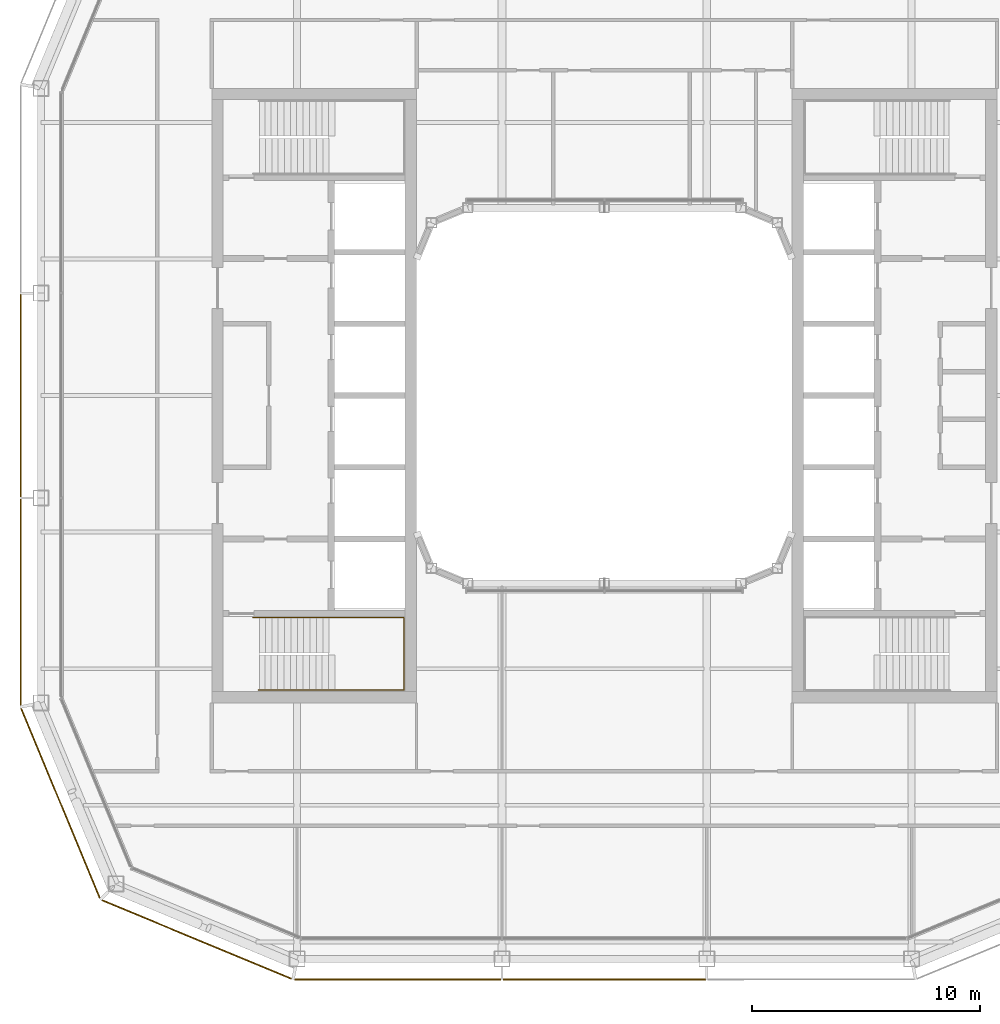
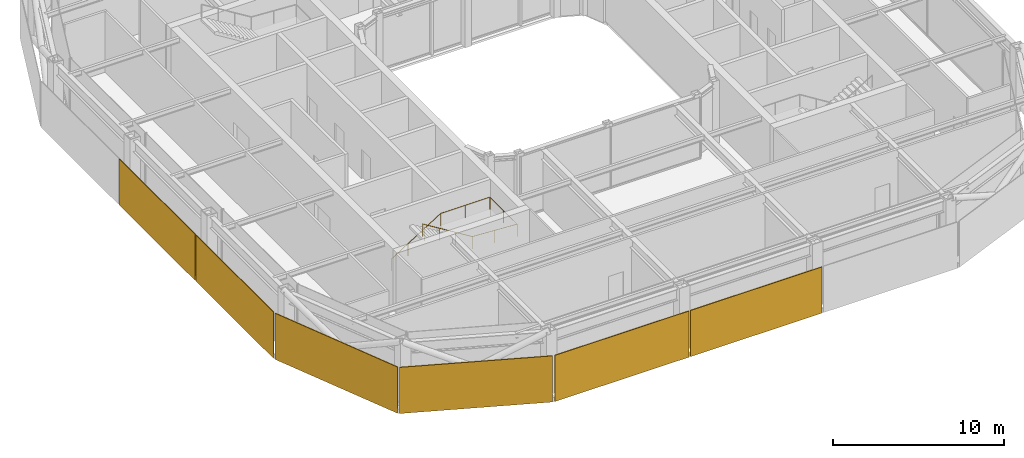
# One storey, part 15 of 18: 6 coverings, 1 railing.
"""IFC4 building model written with IfcOpenShell, lengths in metres."""

from ifc_helpers import new_model, si_unit, direction, frame, origin, origin_2d, place, context, subcontext, project, spatial, rectangle, circle, extrude, material, layer, layer_set, type_object, element, save


model = new_model("IFC4")

# Units and contexts
model_context = context("Model", 3, precision=1e-05, world=origin(), true_north=direction((0.0, 1.0)))
body_context = subcontext(model_context, "Body", "Model", "MODEL_VIEW")
ifc_project = project(units=[si_unit("LENGTHUNIT", "METRE"), si_unit("AREAUNIT", "SQUARE_METRE"), si_unit("VOLUMEUNIT", "CUBIC_METRE"), si_unit("PLANEANGLEUNIT", "RADIAN"), si_unit("MASSUNIT", "GRAM", prefix="KILO")], contexts=[model_context])

# Site, building, storey
site_placement = place(None, origin())
site = spatial("IfcSite", under=ifc_project, at=site_placement, CompositionType="ELEMENT")
building_placement = place(site_placement, origin())
building = spatial("IfcBuilding", under=site, at=building_placement, Name="Siwar Civic Tower", CompositionType="ELEMENT")
storey_placement = place(building_placement, frame((0.0, 0.0, 321.199951171875)))
storey = spatial("IfcBuildingStorey", under=building, at=storey_placement, Name="L69", CompositionType="ELEMENT", Elevation=321.199951171875)

# Railing
ifc_material_1 = material(Name="Stainless steel", Category="steel")
railing_type = type_object("IfcRailingType", Name="CORE-STAIR-HANDRAIL", PredefinedType="HANDRAIL", material=ifc_material_1)
railing_placement = place(storey_placement, frame((-15.449951171875, -9.758056640625, 0.173095703125)))
element("IfcRailing", 1, at=railing_placement, inside=storey, type_object=railing_type, Name="Stair handrail ST2", PredefinedType="HANDRAIL", context=body_context, shape_type="SweptSolid", body=[
    extrude(circle(Radius=0.02001953125, at=origin_2d()), frame((0.0, 0.0, 0.8798828125), z_axis=(0.847063342986, 0.0, 0.531491950051), x_axis=(0.0, 1.0, 0.0)), (0.0, 0.0, 1.0), 3.90771484375),
    extrude(circle(Radius=0.02001953125, at=origin_2d()), frame((3.31005859375, 0.0, 2.956787109375), z_axis=(1.0, 0.0, 0.0), x_axis=(0.0, 1.0, 0.0)), (0.0, 0.0, 1.0), 3.331787109375),
    extrude(circle(Radius=0.02001953125, at=origin_2d()), frame((6.641845703125, 0.0, 2.956787109375), z_axis=(0.0, -1.0, 0.0), x_axis=(1.0, 0.0, 0.0)), (0.0, 0.0, 1.0), 3.183837890625),
    extrude(circle(Radius=0.02001953125, at=origin_2d()), frame((6.641845703125, -3.183837890625, 2.956787109375), z_axis=(-0.99837434197, 0.0, 0.056997134106), x_axis=(0.0, -1.0, 0.0)), (0.0, 0.0, 1.0), 3.036865234375),
    extrude(circle(Radius=0.02001953125, at=origin_2d()), frame((3.60986328125, -3.183837890625, 3.1298828125), z_axis=(-0.850606129759, 0.0, 0.525803396734), x_axis=(0.0, -1.0, 0.0)), (0.0, 0.0, 1.0), 3.949951171875),
    extrude(circle(Radius=0.02001953125, at=origin_2d()), origin(), (0.0, 0.0, 1.0), 0.85986328125),
    extrude(circle(Radius=0.02001953125, at=origin_2d()), frame((1.103271484375, 0.0, 0.6923828125)), (0.0, 0.0, 1.0), 0.85986328125),
    extrude(circle(Radius=0.02001953125, at=origin_2d()), frame((2.206787109375, 0.0, 1.384521484375)), (0.0, 0.0, 1.0), 0.85986328125),
    extrude(circle(Radius=0.02001953125, at=origin_2d()), frame((3.31005859375, 0.0, 2.076904296875)), (0.0, 0.0, 1.0), 0.85986328125),
    extrude(circle(Radius=0.02001953125, at=origin_2d()), frame((4.97607421875, 0.0, 2.076904296875)), (0.0, 0.0, 1.0), 0.85986328125),
    extrude(circle(Radius=0.02001953125, at=origin_2d()), frame((6.641845703125, 0.0, 2.076904296875)), (0.0, 0.0, 1.0), 0.85986328125),
    extrude(circle(Radius=0.02001953125, at=origin_2d()), frame((6.641845703125, -1.591796875, 2.076904296875)), (0.0, 0.0, 1.0), 0.85986328125),
    extrude(circle(Radius=0.02001953125, at=origin_2d()), frame((6.641845703125, -3.183837890625, 2.076904296875)), (0.0, 0.0, 1.0), 0.85986328125),
    extrude(circle(Radius=0.02001953125, at=origin_2d()), frame((5.1259765625, -3.183837890625, 2.16357421875)), (0.0, 0.0, 1.0), 0.85986328125),
    extrude(circle(Radius=0.02001953125, at=origin_2d()), frame((3.60986328125, -3.183837890625, 2.25)), (0.0, 0.0, 1.0), 0.85986328125),
    extrude(circle(Radius=0.02001953125, at=origin_2d()), frame((2.489990234375, -3.183837890625, 2.9423828125)), (0.0, 0.0, 1.0), 0.85986328125),
    extrude(circle(Radius=0.02001953125, at=origin_2d()), frame((1.369873046875, -3.183837890625, 3.634521484375)), (0.0, 0.0, 1.0), 0.85986328125),
    extrude(circle(Radius=0.02001953125, at=origin_2d()), frame((0.25, -3.183837890625, 4.326904296875)), (0.0, 0.0, 1.0), 0.85986328125),
])

# Coverings
ifc_material_2 = material(Name="Perforated aluminium cassette, pale metal", Category="aluminium")
ifc_layer_1 = layer(ifc_material_2, 0.050048828125)
ifc_layer_set_1 = layer_set([ifc_layer_1], Name="Perforated aluminium cassette, pale metal")
covering_type_1 = type_object("IfcCoveringType", Name="ENV-OUTER SKIN OS-3", PredefinedType="CLADDING", material=ifc_layer_set_1)
covering_1_placement = place(storey_placement, frame((-25.64990234375, 0.0, -0.14990234375), z_axis=(0.0, 0.0, 1.0), x_axis=(0.0, -1.0, 0.0)))
element("IfcCovering", 2, at=covering_1_placement, inside=storey, type_object=covering_type_1, Name="OUTER SKIN OS-3 W 2", PredefinedType="CLADDING", context=body_context, shape_type="SweptSolid", body=[
    extrude(rectangle(XDim=8.89990234375, YDim=0.050048828125, at=origin_2d()), origin(), (0.0, 0.0, 1.0), 3.300048828125),
])
covering_2_placement = place(storey_placement, frame((-25.64990234375, -9.07958984375, -0.14990234375), z_axis=(0.0, 0.0, 1.0), x_axis=(0.0, -1.0, 0.0)))
element("IfcCovering", 3, at=covering_2_placement, inside=storey, type_object=covering_type_1, Name="OUTER SKIN OS-3 W 3", PredefinedType="CLADDING", context=body_context, shape_type="SweptSolid", body=[
    extrude(rectangle(XDim=9.05908203125, YDim=0.050048828125, at=origin_2d()), origin(), (0.0, 0.0, 1.0), 3.300048828125),
])
ifc_material_3 = material(Name="Perforated aluminium cassette, pale metal", Category="aluminium")
ifc_layer_2 = layer(ifc_material_3, 0.054931640625)
ifc_layer_set_2 = layer_set([ifc_layer_2], Name="Perforated aluminium cassette, pale metal")
covering_type_2 = type_object("IfcCoveringType", Name="ENV-OUTER SKIN OS-4", PredefinedType="CLADDING", material=ifc_layer_set_2)
covering_3_placement = place(storey_placement, frame((-9.07958984375, -25.64990234375, -0.14990234375), z_axis=(0.0, 0.0, 1.0), x_axis=(1.0, 0.0, 0.0)))
element("IfcCovering", 4, at=covering_3_placement, inside=storey, type_object=covering_type_2, Name="OUTER SKIN OS-4 S 1", PredefinedType="CLADDING", context=body_context, shape_type="SweptSolid", body=[
    extrude(rectangle(XDim=9.05908203125, YDim=0.054931640625, at=origin_2d()), origin(), (0.0, 0.0, 1.0), 3.300048828125),
])
covering_4_placement = place(storey_placement, frame((0.0, -25.64990234375, -0.14990234375), z_axis=(0.0, 0.0, 1.0), x_axis=(1.0, 0.0, 0.0)))
element("IfcCovering", 5, at=covering_4_placement, inside=storey, type_object=covering_type_2, Name="OUTER SKIN OS-4 S 2", PredefinedType="CLADDING", context=body_context, shape_type="SweptSolid", body=[
    extrude(rectangle(XDim=8.89990234375, YDim=0.054931640625, at=origin_2d()), origin(), (0.0, 0.0, 1.0), 3.300048828125),
])
for number, where, z_axis, x_axis, name in (
    (6, (-23.89697265625, -17.911376953125, -0.14990234375), (0.0, 0.0, 1.0), (0.382683432365, -0.923879532511, 0.0), "OUTER SKIN OS-4 SW1 1"),
    (7, (-17.911376953125, -23.89697265625, -0.14990234375), (0.0, 0.0, 1.0), (0.923879532511, -0.382683432365, 0.0), "OUTER SKIN OS-4 SW2 1"),
):
    element("IfcCovering", number, at=place(storey_placement, frame(where, z_axis=z_axis, x_axis=x_axis)), inside=storey, type_object=covering_type_2, Name=name, PredefinedType="CLADDING", context=body_context, shape_type="SweptSolid", body=[
        extrude(rectangle(XDim=9.022216796875, YDim=0.054931640625, at=origin_2d()), origin(), (0.0, 0.0, 1.0), 3.300048828125),
    ])

save(model, "model.ifc")
